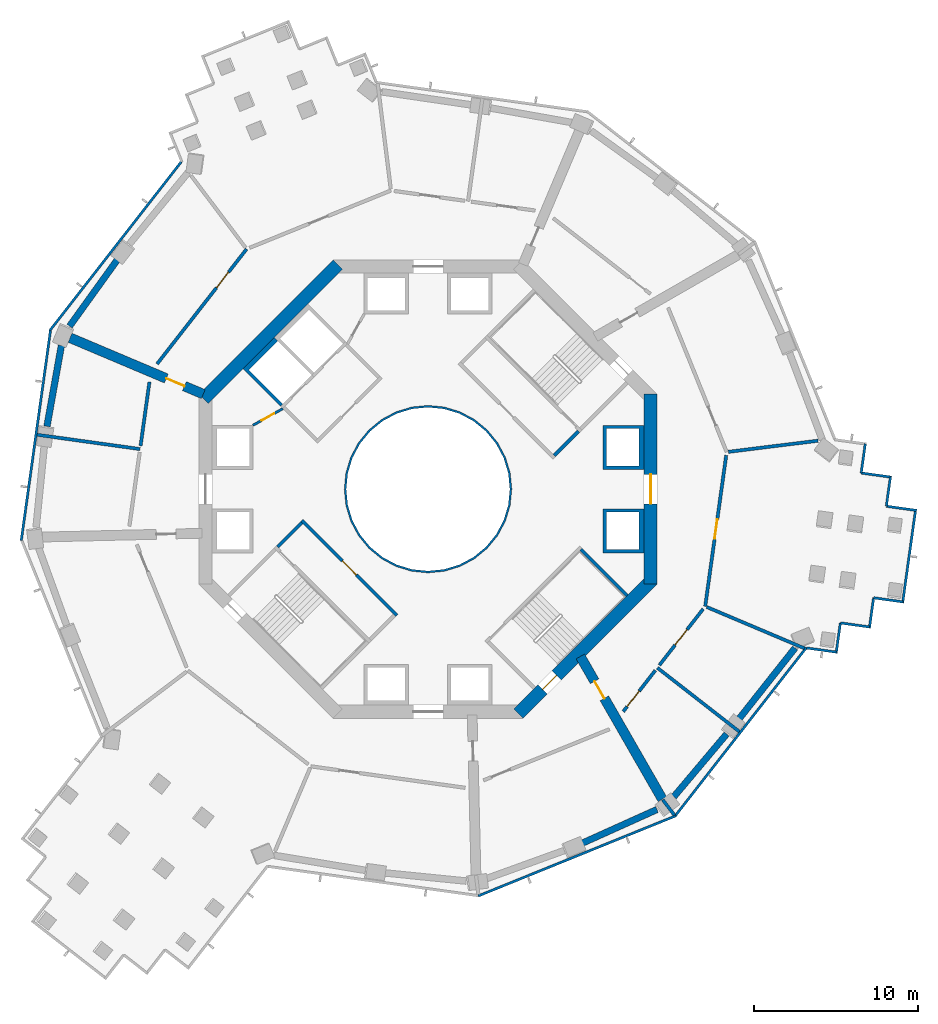
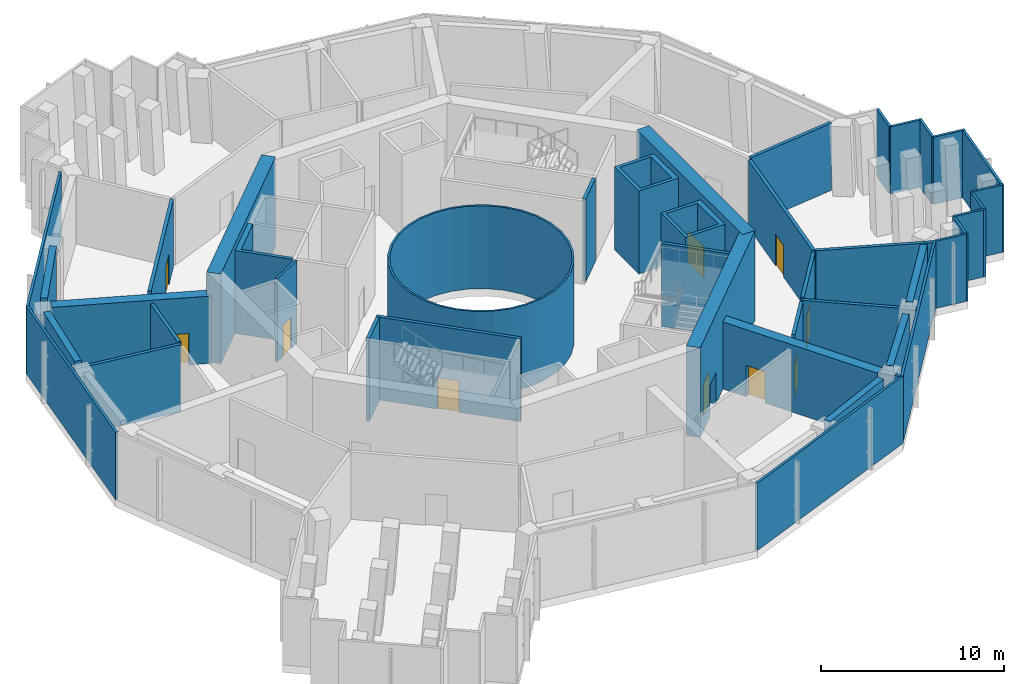
# One storey, part 3 of 17: 43 walls, 10 doors, 10 openings.
"""IFC4 building model written with IfcOpenShell, lengths in metres."""

import ifcopenshell
import ifcopenshell.guid

model = None  # the IFC model being written
_history = None  # IfcOwnerHistory: only IFC2X3 demands one
_inside = {}  # id of a spatial element -> (the spatial element, [elements in it])
_under = {}  # id of a project, library or spatial element -> (it, [spatial elements below it])
_declared = {}  # id of a project -> (the project, [libraries it declares])
_typed = {}  # id of a type object -> (the type object, [elements of that type])
_made_of = {}  # id of a material, layer set ... -> (it, [elements and type objects made of it])


def new_model(schema):
    """Start an empty IFC model of exactly this schema.

    Asked for "IFC4X3", IfcOpenShell would pick the latest addendum, in which some entities
    have other attributes; the version numbers below select the first issue.
    IFC2X3 requires an IfcOwnerHistory on every rooted entity: one is made here for all.
    """
    global model, _history
    if schema == "IFC4X3":
        model = ifcopenshell.file(schema_version=(4, 3, 0, 0))
    else:
        model = ifcopenshell.file(schema=schema)
    _inside.clear()
    _under.clear()
    _declared.clear()
    _typed.clear()
    _made_of.clear()
    _history = None
    if model.schema == "IFC2X3":
        org = make("IfcOrganization", Name="unknown")
        user = make(
            "IfcPersonAndOrganization",
            ThePerson=make("IfcPerson", FamilyName="unknown"),
            TheOrganization=org,
        )
        app = make(
            "IfcApplication",
            ApplicationDeveloper=org,
            Version="unknown",
            ApplicationFullName="unknown",
            ApplicationIdentifier="unknown",
        )
        _history = make(
            "IfcOwnerHistory",
            OwningUser=user,
            OwningApplication=app,
            ChangeAction="ADDED",
            CreationDate=0,
        )
    return model


def make(cls, **values):
    """One entity of the class cls with the attributes given. An attribute that is None is left unset."""
    return model.create_entity(
        cls, **{name: value for name, value in values.items() if value is not None}
    )


def rooted(cls, **values):
    """An entity with a GlobalId (a new one), such as an element, a storey or a relation."""
    return make(cls, GlobalId=ifcopenshell.guid.new(), OwnerHistory=_history, **values)


def si_unit(unit_type, name, prefix=None):
    """IfcSIUnit, for example si_unit("LENGTHUNIT", "METRE", prefix="MILLI")."""
    return make("IfcSIUnit", UnitType=unit_type, Prefix=prefix, Name=name)


def assignment(units):
    """IfcUnitAssignment: the units of a project."""
    return None if units is None else make("IfcUnitAssignment", Units=units)


def point(xyz):
    """IfcCartesianPoint."""
    return None if xyz is None else make("IfcCartesianPoint", Coordinates=xyz)


def direction(xyz):
    """IfcDirection."""
    return None if xyz is None else make("IfcDirection", DirectionRatios=xyz)


def frame(location, z_axis=None, x_axis=None):
    """IfcAxis2Placement3D, a coordinate frame: its origin and axes. An axis left out is left unset."""
    return make(
        "IfcAxis2Placement3D",
        Location=point(location),
        Axis=direction(z_axis),
        RefDirection=direction(x_axis),
    )


def frame_2d(location, x_axis=None):
    """IfcAxis2Placement2D, a coordinate frame in the plane: its origin and x axis."""
    return make(
        "IfcAxis2Placement2D", Location=point(location), RefDirection=direction(x_axis)
    )


def origin():
    """The frame at (0, 0, 0) with its axes left unset."""
    return frame((0.0, 0.0, 0.0))


def place(relative_to, where):
    """IfcLocalPlacement: puts the frame where relative to a parent placement (None: the world)."""
    return make(
        "IfcLocalPlacement", PlacementRelTo=relative_to, RelativePlacement=where
    )


def context(
    kind, dimensions, precision=None, world=None, true_north=None, identifier=None
):
    """IfcGeometricRepresentationContext, for example the 3D "Model" context."""
    return make(
        "IfcGeometricRepresentationContext",
        ContextIdentifier=identifier,
        ContextType=kind,
        CoordinateSpaceDimension=dimensions,
        Precision=precision,
        WorldCoordinateSystem=world,
        TrueNorth=true_north,
    )


def subcontext(parent, identifier, kind, view, scale=None):
    """IfcGeometricRepresentationSubContext, for example "Body" below "Model"."""
    return make(
        "IfcGeometricRepresentationSubContext",
        ContextIdentifier=identifier,
        ContextType=kind,
        ParentContext=parent,
        TargetScale=scale,
        TargetView=view,
    )


def project(units=None, contexts=None):
    """IfcProject with its units and contexts."""
    return rooted(
        "IfcProject",
        Name="project",
        RepresentationContexts=contexts,
        UnitsInContext=assignment(units),
    )


def spatial(cls, under=None, at=None, **own):
    """A site, building, storey or space (cls), placed at a placement, below another one or the project."""
    s = rooted(cls, ObjectPlacement=at, **own)
    if under is not None:
        _under.setdefault(under.id(), (under, []))[1].append(s)
    return s


def polyline(points):
    """IfcPolyline through the points."""
    return make("IfcPolyline", Points=[point(p) for p in points])


def profile(cls, at=None, kind="AREA", **sizes):
    """A parametric profile (cls). Its sizes go by their IFC names, for example OverallWidth=200.0."""
    return make(cls, ProfileType=kind, Position=at, **sizes)


def rectangle(**sizes):
    """IfcRectangleProfileDef."""
    return profile("IfcRectangleProfileDef", **sizes)


def outline(outer, holes=None, kind="AREA"):
    """IfcArbitraryClosedProfileDef: a profile drawn as a closed curve; with holes, ...WithVoids."""
    if holes is None:
        return make("IfcArbitraryClosedProfileDef", ProfileType=kind, OuterCurve=outer)
    return make(
        "IfcArbitraryProfileDefWithVoids",
        ProfileType=kind,
        OuterCurve=outer,
        InnerCurves=holes,
    )


def extrude(swept, where, along, depth):
    """IfcExtrudedAreaSolid: the profile swept, set in the frame where, extruded along a direction by depth."""
    return make(
        "IfcExtrudedAreaSolid",
        SweptArea=swept,
        Position=where,
        ExtrudedDirection=direction(along),
        Depth=depth,
    )


def shape(context_of_items, identifier, shape_type, items):
    """IfcShapeRepresentation: the items that make up one representation, for example the "Body"."""
    return make(
        "IfcShapeRepresentation",
        ContextOfItems=context_of_items,
        RepresentationIdentifier=identifier,
        RepresentationType=shape_type,
        Items=items,
    )


def material(Name=None, Category=None):
    """IfcMaterial."""
    return make("IfcMaterial", Name=Name, Category=Category)


def layer(
    of_material, thickness, ventilated=None, Name=None, Category=None, Priority=None
):
    """IfcMaterialLayer: one layer of a wall or slab, of a material (None: an air gap)."""
    return make(
        "IfcMaterialLayer",
        Material=of_material,
        LayerThickness=thickness,
        IsVentilated=ventilated,
        Name=Name,
        Category=Category,
        Priority=Priority,
    )


def layer_set(layers, Name=None):
    """IfcMaterialLayerSet."""
    return make("IfcMaterialLayerSet", MaterialLayers=layers, LayerSetName=Name)


def made_of(thing, what):
    """Note that an element or type object is made of a material, layer set ...; save() writes the relation."""
    if what is not None:
        _made_of.setdefault(what.id(), (what, []))[1].append(thing)
    return thing


def type_object(cls, material=None, **own):
    """A type object (cls), such as IfcWallType, which elements share."""
    return made_of(rooted(cls, **own), material)


def element(
    cls,
    number,
    at=None,
    inside=None,
    cuts=None,
    type_object=None,
    material=None,
    context=None,
    identifier="Body",
    shape_type=None,
    held_by="IfcProductDefinitionShape",
    body=None,
    shapes=None,
    **own,
):
    """One element of the class cls, such as IfcWall. Its Tag is "e" and its number.

    at: its placement. inside: the storey or other place that contains it. cuts: it is an
    opening in that element (IfcRelVoidsElement). A single representation is given by context,
    identifier, shape_type and body (its items); several are given by shapes. held_by: the class
    of the entity that holds the representations. save() writes the other relations.
    """
    e = rooted(cls, Tag="e%d" % number, ObjectPlacement=at, **own)
    if body is not None:
        shapes = [shape(context, identifier, shape_type, body)]
    if shapes is not None:
        e.Representation = make(held_by, Representations=shapes)
    if inside is not None:
        _inside.setdefault(inside.id(), (inside, []))[1].append(e)
    if cuts is not None:
        rooted(
            "IfcRelVoidsElement", RelatingBuildingElement=cuts, RelatedOpeningElement=e
        )
    if type_object is not None:
        _typed.setdefault(type_object.id(), (type_object, []))[1].append(e)
    return made_of(e, material)


def fill(opening, filler):
    """IfcRelFillsElement: the door or window that sits in an opening."""
    return rooted(
        "IfcRelFillsElement",
        RelatingOpeningElement=opening,
        RelatedBuildingElement=filler,
    )


def aggregate(whole, parts):
    """IfcRelAggregates: a whole, such as a stair, and the parts it consists of."""
    return rooted("IfcRelAggregates", RelatingObject=whole, RelatedObjects=parts)


def save(model, path):
    """Write the relations noted so far, then the file.

    IfcRelAggregates (storeys below a building ...), IfcRelContainedInSpatialStructure (elements
    in a storey), IfcRelDefinesByType, IfcRelAssociatesMaterial and IfcRelDeclares: one each for
    every whole, place, type object, material and project.
    """
    for whole, parts in _under.values():
        aggregate(whole, parts)
    for where, things in _inside.values():
        rooted(
            "IfcRelContainedInSpatialStructure",
            RelatedElements=things,
            RelatingStructure=where,
        )
    for kind, things in _typed.values():
        rooted("IfcRelDefinesByType", RelatedObjects=things, RelatingType=kind)
    for what, things in _made_of.values():
        rooted("IfcRelAssociatesMaterial", RelatedObjects=things, RelatingMaterial=what)
    for by, libraries in _declared.values():
        rooted("IfcRelDeclares", RelatingContext=by, RelatedDefinitions=libraries)
    model.write(path)


model = new_model("IFC4")

# Units and contexts
model_context = context("Model", 3, precision=1e-05, world=origin(), true_north=direction((0.0, 1.0)))
body_context = subcontext(model_context, "Body", "Model", "MODEL_VIEW")
ifc_project = project(units=[si_unit("LENGTHUNIT", "METRE"), si_unit("AREAUNIT", "SQUARE_METRE"), si_unit("VOLUMEUNIT", "CUBIC_METRE"), si_unit("PLANEANGLEUNIT", "RADIAN"), si_unit("MASSUNIT", "GRAM", prefix="KILO")], contexts=[model_context])

# Site, building, storey
site_placement = place(None, origin())
site = spatial("IfcSite", under=ifc_project, at=site_placement, CompositionType="ELEMENT")
building_placement = place(site_placement, origin())
building = spatial("IfcBuilding", under=site, at=building_placement, Name="Verdalira Terraces Hotel", CompositionType="ELEMENT")
storey_placement = place(building_placement, frame((0.0, 0.0, 122.0)))
storey = spatial("IfcBuildingStorey", under=building, at=storey_placement, Name="L29", CompositionType="ELEMENT", Elevation=122.0)

# Walls
ifc_material_1 = material(Name="Fire-resisting glass EI 180", Category="glass")
ifc_layer_1 = layer(ifc_material_1, 0.1201171875)
ifc_layer_set_1 = layer_set([ifc_layer_1], Name="Atrium fire screen 120 mm")
wall_type_1 = type_object("IfcWallType", Name="Atrium fire screen 120 mm", PredefinedType="SOLIDWALL", material=ifc_layer_set_1)
wall_1_placement = place(storey_placement, origin())
element("IfcWall", 1, at=wall_1_placement, inside=storey, type_object=wall_type_1, Name="Atrium fire screen", PredefinedType="SOLIDWALL", context=body_context, shape_type="SweptSolid", body=[
    extrude(outline(polyline([(5.021484, -0.998779), (4.730225, -1.959229), (4.25708, -2.844482), (3.620361, -3.620361), (2.844482, -4.25708), (1.959229, -4.730225), (0.998779, -5.021484), (0.0, -5.120117), (-0.998779, -5.021484), (-1.959229, -4.730225), (-2.844482, -4.25708), (-3.620361, -3.620361), (-4.25708, -2.844482), (-4.730225, -1.959229), (-5.021484, -0.998779), (-5.120117, 0.0), (-5.021484, 0.998779), (-4.730225, 1.959229), (-4.25708, 2.844482), (-3.620361, 3.620361), (-2.844482, 4.25708), (-1.959229, 4.730225), (-0.998779, 5.021484), (0.0, 5.120117), (0.998779, 5.021484), (1.959229, 4.730225), (2.844482, 4.25708), (3.620361, 3.620361), (4.25708, 2.844482), (4.730225, 1.959229), (5.021484, 0.998779), (5.120117, 0.0), (5.021484, -0.998779)]), holes=[polyline([(4.903809, 0.975586), (4.619385, 1.91333), (4.157227, 2.777832), (3.5354, 3.5354), (2.777832, 4.157227), (1.91333, 4.619385), (0.975586, 4.903809), (0.0, 5.0), (-0.975586, 4.903809), (-1.91333, 4.619385), (-2.777832, 4.157227), (-3.5354, 3.5354), (-4.157227, 2.777832), (-4.619385, 1.91333), (-4.903809, 0.975586), (-5.0, 0.0), (-4.903809, -0.975586), (-4.619385, -1.91333), (-4.157227, -2.777832), (-3.5354, -3.5354), (-2.777832, -4.157227), (-1.91333, -4.619385), (-0.975586, -4.903809), (0.0, -5.0), (0.975586, -4.903809), (1.91333, -4.619385), (2.777832, -4.157227), (3.5354, -3.5354), (4.157227, -2.777832), (4.619385, -1.91333), (4.903809, -0.975586), (5.0, 0.0), (4.903809, 0.975586)])]), origin(), (0.0, 0.0, 1.0), 5.550049),
])
ifc_material_2 = material(Name="Concrete C70", Category="concrete")
ifc_layer_2 = layer(ifc_material_2, 0.39990234375)
ifc_layer_set_2 = layer_set([ifc_layer_2], Name="Belt wall 400 C70")
wall_type_2 = type_object("IfcWallType", Name="Belt wall 400 C70", PredefinedType="SHEAR", material=ifc_layer_set_2)
for number, where, z_axis, x_axis, name in (
    (2, (-18.969482, 14.02832, 0.0), (0.0, 0.0, 1.0), (-0.583892879, -0.811830713, 0.0), "Belt wall BW-29-2"),
    (3, (-22.398682, 8.771484, 0.0), (0.0, 0.0, 1.0), (-0.175640641, -0.984454349, 0.0), "Belt wall BW-29-3"),
):
    element("IfcWall", number, at=place(storey_placement, frame(where, z_axis=z_axis, x_axis=x_axis)), inside=storey, type_object=wall_type_2, Name=name, PredefinedType="SHEAR", context=body_context, shape_type="SweptSolid", body=[
        extrude(rectangle(XDim=5.013672, YDim=0.399902, at=frame_2d((2.506836, 0.0))), origin(), (0.0, 0.0, 1.0), 4.5),
    ])
wall_2_placement = place(storey_placement, frame((9.413818, -21.633545, 0.0), z_axis=(0.0, 0.0, 1.0), x_axis=(0.911583179, 0.411115687, 0.0)))
element("IfcWall", 4, at=wall_2_placement, inside=storey, type_object=wall_type_2, Name="Belt wall BW-29-10", PredefinedType="SHEAR", context=body_context, shape_type="SweptSolid", body=[
    extrude(rectangle(XDim=5.013916, YDim=0.399902, at=frame_2d((2.506836, 0.0))), origin(), (0.0, 0.0, 1.0), 4.5),
])
wall_3_placement = place(storey_placement, frame((15.011963, -18.795654, 0.0), z_axis=(0.0, 0.0, 1.0), x_axis=(0.644332147, 0.764745764, 0.0)))
element("IfcWall", 5, at=wall_3_placement, inside=storey, type_object=wall_type_2, Name="Belt wall BW-29-11", PredefinedType="SHEAR", context=body_context, shape_type="SweptSolid", body=[
    extrude(rectangle(XDim=5.01416, YDim=0.399902, at=frame_2d((2.50708, 0.0))), origin(), (0.0, 0.0, 1.0), 4.5),
])
wall_4_placement = place(storey_placement, frame((18.982666, -14.055176, 0.0), z_axis=(0.0, 0.0, 1.0), x_axis=(0.620299204, 0.784365284, 0.0)))
element("IfcWall", 6, at=wall_4_placement, inside=storey, type_object=wall_type_2, Name="Belt wall BW-29-12", PredefinedType="SHEAR", context=body_context, shape_type="SweptSolid", body=[
    extrude(rectangle(XDim=5.545898, YDim=0.399902, at=frame_2d((2.772949, 0.0))), origin(), (0.0, 0.0, 1.0), 4.5),
])
ifc_material_3 = material(Name="Concrete C50", Category="concrete")
ifc_layer_3 = layer(ifc_material_3, 0.199951171875)
ifc_layer_set_3 = layer_set([ifc_layer_3], Name="Core RC wall 200 C50")
wall_type_3 = type_object("IfcWallType", Name="Core RC wall 200 C50", PredefinedType="SOLIDWALL", material=ifc_layer_set_3)
wall_5_placement = place(storey_placement, origin())
element("IfcWall", 7, at=wall_5_placement, inside=storey, type_object=wall_type_3, Name="L29 shaft wall E1", PredefinedType="SOLIDWALL", context=body_context, shape_type="SweptSolid", body=[
    extrude(outline(polyline([(13.199951, -1.199951), (13.199951, -3.899902), (10.699951, -3.899902), (10.699951, -1.199951), (13.199951, -1.199951)]), holes=[polyline([(10.899902, -3.699951), (12.899902, -3.699951), (12.899902, -1.399902), (10.899902, -1.399902), (10.899902, -3.699951)])]), origin(), (0.0, 0.0, 1.0), 5.550049),
])
wall_6_placement = place(storey_placement, origin())
element("IfcWall", 8, at=wall_6_placement, inside=storey, type_object=wall_type_3, Name="L29 shaft wall E2", PredefinedType="SOLIDWALL", context=body_context, shape_type="SweptSolid", body=[
    extrude(outline(polyline([(10.699951, 3.899902), (13.199951, 3.899902), (13.199951, 1.199951), (10.699951, 1.199951), (10.699951, 3.899902)]), holes=[polyline([(12.899902, 1.399902), (12.899902, 3.699951), (10.899902, 3.699951), (10.899902, 1.399902), (12.899902, 1.399902)])]), origin(), (0.0, 0.0, 1.0), 5.550049),
])
wall_7_placement = place(storey_placement, origin())
element("IfcWall", 9, at=wall_7_placement, inside=storey, type_object=wall_type_3, Name="L29 shaft wall F2", PredefinedType="SOLIDWALL", context=body_context, shape_type="SweptSolid", body=[
    extrude(outline(polyline([(-11.313721, 7.354004), (-9.404541, 9.263184), (-9.192383, 9.051025), (-10.960205, 7.283203), (-8.874268, 5.197266), (-9.015625, 5.055908), (-11.313721, 7.354004)])), origin(), (0.0, 0.0, 1.0), 5.550049),
])
wall_8_placement = place(storey_placement, frame((9.33374, -3.677002, 0.0), z_axis=(0.0, 0.0, 1.0), x_axis=(0.707106781, -0.707106781, 0.0)))
element("IfcWall", 10, at=wall_8_placement, inside=storey, type_object=wall_type_3, Name="L29 stair ST3 end wall 2", PredefinedType="SOLIDWALL", context=body_context, shape_type="SweptSolid", body=[
    extrude(rectangle(XDim=4.0, YDim=0.199951, at=frame_2d((2.0, 0.0))), origin(), (0.0, 0.0, 1.0), 5.550049),
])
wall_9_placement = place(storey_placement, frame((7.70752, 2.050537, 0.0), z_axis=(0.0, 0.0, 1.0), x_axis=(0.707106781, 0.707106781, 0.0)))
element("IfcWall", 11, at=wall_9_placement, inside=storey, type_object=wall_type_3, Name="Stair lobby wall ST1 L29", PredefinedType="SOLIDWALL", context=body_context, shape_type="SweptSolid", body=[
    extrude(rectangle(XDim=2.099854, YDim=0.199951, at=frame_2d((1.049805, 0.0))), origin(), (0.0, 0.0, 1.0), 5.550049),
])

# Wall, opening, door
wall_10_placement = place(storey_placement, frame((-7.70752, -1.90918, 0.0), z_axis=(0.0, 0.0, 1.0), x_axis=(0.707106781, -0.707106781, 0.0)))
wall_10 = element("IfcWall", 12, at=wall_10_placement, inside=storey, type_object=wall_type_3, Name="Stair lobby wall ST2 L29", PredefinedType="SOLIDWALL", context=body_context, shape_type="SweptSolid", body=[
    extrude(rectangle(XDim=8.200195, YDim=0.199951, at=frame_2d((4.100098, 0.0))), origin(), (0.0, 0.0, 1.0), 5.550049),
])
opening_1_placement = place(wall_10_placement, frame((3.5, 0.0, 0.0)))
opening_1 = element("IfcOpeningElement", 13, at=opening_1_placement, cuts=wall_10, Name="Opening L29-817", PredefinedType="OPENING", context=body_context, shape_type="SweptSolid", body=[
    extrude(rectangle(XDim=1.199951, YDim=2.100098, at=frame_2d((0.600098, 1.050049))), frame((0.0, 0.109863, 0.0), z_axis=(0.0, -1.0, 0.0), x_axis=(1.0, 0.0, 0.0)), (0.0, 0.0, 1.0), 0.219971),
])
ifc_material_4 = material(Name="Steel fire door", Category="steel")
door_type_1 = type_object("IfcDoorType", Name="Lobby door 1200 x 2100", OperationType="NOTDEFINED", PredefinedType="DOOR", material=ifc_material_4)
door_1_placement = place(opening_1_placement, origin())
door_1 = element("IfcDoor", 14, at=door_1_placement, inside=storey, type_object=door_type_1, Name="Door L29 lobbyST2", OperationType="SINGLE_SWING_LEFT", OverallHeight=2.10009765625, OverallWidth=1.199951171875, PredefinedType="DOOR", context=body_context, shape_type="SweptSolid", body=[
    extrude(rectangle(XDim=1.199951, YDim=2.100098, at=frame_2d((0.600098, 1.050049))), frame((0.0, 0.024902, 0.0), z_axis=(0.0, -1.0, 0.0), x_axis=(1.0, 0.0, 0.0)), (0.0, 0.0, 1.0), 0.050049),
])
fill(opening_1, door_1)

# Wall
wall_11_placement = place(storey_placement, frame((-7.70752, -2.050537, 0.0), z_axis=(0.0, 0.0, 1.0), x_axis=(-0.707106781, -0.707106781, 0.0)))
element("IfcWall", 15, at=wall_11_placement, inside=storey, type_object=wall_type_3, Name="Stair lobby wall ST2 L29", PredefinedType="SOLIDWALL", context=body_context, shape_type="SweptSolid", body=[
    extrude(rectangle(XDim=2.099854, YDim=0.199951, at=frame_2d((1.049805, 0.0))), origin(), (0.0, 0.0, 1.0), 5.550049),
])

# Wall, opening, door
ifc_material_5 = material(Name="Gypsum board partition")
ifc_layer_4 = layer(ifc_material_5, 0.14990234375)
ifc_layer_set_4 = layer_set([ifc_layer_4], Name="Core partition 150 mm")
wall_type_4 = type_object("IfcWallType", Name="Core partition 150 mm", PredefinedType="PARTITIONING", material=ifc_layer_set_4)
wall_12_placement = place(storey_placement, frame((-8.874268, 4.914307, 0.0), z_axis=(0.0, 0.0, 1.0), x_axis=(-0.874129705, -0.485692555, 0.0)))
wall_12 = element("IfcWall", 16, at=wall_12_placement, inside=storey, type_object=wall_type_4, Name="Room partition L29", PredefinedType="PARTITIONING", context=body_context, shape_type="SweptSolid", body=[
    extrude(rectangle(XDim=2.088623, YDim=0.149902, at=frame_2d((1.044434, 0.0))), origin(), (0.0, 0.0, 1.0), 5.550049),
])
opening_2_placement = place(wall_12_placement, frame((0.594238, 0.0, 0.0)))
opening_2 = element("IfcOpeningElement", 17, at=opening_2_placement, cuts=wall_12, Name="Opening L29-815", PredefinedType="OPENING", context=body_context, shape_type="SweptSolid", body=[
    extrude(rectangle(XDim=0.899902, YDim=2.100098, at=frame_2d((0.449951, 1.050049))), frame((0.0, 0.084961, 0.0), z_axis=(0.0, -1.0, 0.0), x_axis=(1.0, 0.0, 0.0)), (0.0, 0.0, 1.0), 0.169922),
])
ifc_material_6 = material(Name="Steel fire door", Category="steel")
door_type_2 = type_object("IfcDoorType", Name="Core room door 900 x 2100", OperationType="NOTDEFINED", PredefinedType="DOOR", material=ifc_material_6)
door_2_placement = place(opening_2_placement, origin())
door_2 = element("IfcDoor", 18, at=door_2_placement, inside=storey, type_object=door_type_2, Name="Door L29 room3", OperationType="SINGLE_SWING_LEFT", OverallHeight=2.10009765625, OverallWidth=0.89990234375, PredefinedType="DOOR", context=body_context, shape_type="SweptSolid", body=[
    extrude(rectangle(XDim=0.899902, YDim=2.100098, at=frame_2d((0.449951, 1.050049))), frame((0.0, 0.024902, 0.0), z_axis=(0.0, -1.0, 0.0), x_axis=(1.0, 0.0, 0.0)), (0.0, 0.0, 1.0), 0.050049),
])
fill(opening_2, door_2)

ifc_material_7 = material(Name="Concrete C70", Category="concrete")
ifc_layer_5 = layer(ifc_material_7, 0.800048828125)
ifc_layer_set_5 = layer_set([ifc_layer_5], Name="Core wall 800 C70")
wall_type_5 = type_object("IfcWallType", Name="Core wall 800 C70", PredefinedType="SHEAR", material=ifc_layer_set_5)
wall_13_placement = place(storey_placement, frame((13.600098, -5.799072, 0.0), z_axis=(0.0, 0.0, 1.0), x_axis=(0.0, 1.0, 0.0)))
wall_13 = element("IfcWall", 19, at=wall_13_placement, inside=storey, type_object=wall_type_5, Name="Core wall CW-L29-1", PredefinedType="SHEAR", context=body_context, shape_type="SweptSolid", body=[
    extrude(rectangle(XDim=11.598145, YDim=0.800049, at=frame_2d((5.799072, 0.0))), origin(), (0.0, 0.0, 1.0), 6.0),
])
opening_3_placement = place(wall_13_placement, frame((4.898926, 0.0, 0.0)))
opening_3 = element("IfcOpeningElement", 20, at=opening_3_placement, cuts=wall_13, Name="Opening L29-806", PredefinedType="OPENING", context=body_context, shape_type="SweptSolid", body=[
    extrude(rectangle(XDim=1.800049, YDim=2.100098, at=frame_2d((0.899902, 1.050049))), frame((0.0, 0.409912, 0.0), z_axis=(0.0, -1.0, 0.0), x_axis=(1.0, 0.0, 0.0)), (0.0, 0.0, 1.0), 0.820068),
])
ifc_material_8 = material(Name="Steel fire door", Category="steel")
door_type_3 = type_object("IfcDoorType", Name="Core entry door pair 1800 x 2100", OperationType="NOTDEFINED", PredefinedType="DOOR", material=ifc_material_8)
door_3_placement = place(opening_3_placement, origin())
door_3 = element("IfcDoor", 21, at=door_3_placement, inside=storey, type_object=door_type_3, Name="Core entry door L29 0", OperationType="DOUBLE_DOOR_SINGLE_SWING", OverallHeight=2.10009765625, OverallWidth=1.800048828125, PredefinedType="DOOR", context=body_context, shape_type="SweptSolid", body=[
    extrude(rectangle(XDim=1.800049, YDim=2.100098, at=frame_2d((0.899902, 1.050049))), frame((0.0, 0.024902, 0.0), z_axis=(0.0, -1.0, 0.0), x_axis=(1.0, 0.0, 0.0)), (0.0, 0.0, 1.0), 0.050049),
])
fill(opening_3, door_3)

# Wall
wall_14_placement = place(storey_placement, frame((-5.516113, 13.717285, 0.0), z_axis=(0.0, 0.0, 1.0), x_axis=(-0.707106781, -0.707106781, 0.0)))
element("IfcWall", 22, at=wall_14_placement, inside=storey, type_object=wall_type_5, Name="Core wall CW-L29-4", PredefinedType="SHEAR", context=body_context, shape_type="SweptSolid", body=[
    extrude(rectangle(XDim=11.598145, YDim=0.800049, at=frame_2d((5.799072, 0.0))), origin(), (0.0, 0.0, 1.0), 6.0),
])

# Wall, opening, door
wall_15_placement = place(storey_placement, frame((5.516113, -13.717285, 0.0), z_axis=(0.0, 0.0, 1.0), x_axis=(0.707106781, 0.707106781, 0.0)))
wall_15 = element("IfcWall", 23, at=wall_15_placement, inside=storey, type_object=wall_type_5, Name="Core wall CW-L29-8", PredefinedType="SHEAR", context=body_context, shape_type="SweptSolid", body=[
    extrude(rectangle(XDim=11.598145, YDim=0.800049, at=frame_2d((5.799072, 0.0))), origin(), (0.0, 0.0, 1.0), 6.0),
])
opening_4_placement = place(wall_15_placement, frame((2.099121, 0.0, 0.0)))
opening_4 = element("IfcOpeningElement", 24, at=opening_4_placement, cuts=wall_15, Name="Opening L29-812", PredefinedType="OPENING", context=body_context, shape_type="SweptSolid", body=[
    extrude(rectangle(XDim=1.199951, YDim=2.100098, at=frame_2d((0.600098, 1.050049))), frame((0.0, 0.409912, 0.0), z_axis=(0.0, -1.0, 0.0), x_axis=(1.0, 0.0, 0.0)), (0.0, 0.0, 1.0), 0.820068),
])
ifc_material_9 = material(Name="Steel fire door", Category="steel")
door_type_4 = type_object("IfcDoorType", Name="Stair door 1200 x 2100", OperationType="NOTDEFINED", PredefinedType="DOOR", material=ifc_material_9)
door_4_placement = place(opening_4_placement, origin())
door_4 = element("IfcDoor", 25, at=door_4_placement, inside=storey, type_object=door_type_4, Name="Stair exit door ST3 L29", OperationType="SINGLE_SWING_LEFT", OverallHeight=2.10009765625, OverallWidth=1.199951171875, PredefinedType="DOOR", context=body_context, shape_type="SweptSolid", body=[
    extrude(rectangle(XDim=1.199951, YDim=2.100098, at=frame_2d((0.600098, 1.050049))), frame((0.0, 0.024902, 0.0), z_axis=(0.0, -1.0, 0.0), x_axis=(1.0, 0.0, 0.0)), (0.0, 0.0, 1.0), 0.050049),
])
fill(opening_4, door_4)

ifc_material_10 = material(Name="Concrete C70", Category="concrete")
ifc_layer_6 = layer(ifc_material_10, 0.60009765625)
ifc_layer_set_6 = layer_set([ifc_layer_6], Name="Outrigger wall 600 C70")
wall_type_6 = type_object("IfcWallType", Name="Outrigger wall 600 C70", PredefinedType="SHEAR", material=ifc_layer_set_6)
wall_16_placement = place(storey_placement, frame((-13.730957, 5.805908, 0.0), z_axis=(0.0, 0.0, 1.0), x_axis=(-0.921048088, 0.389448866, 0.0)))
wall_16 = element("IfcWall", 26, at=wall_16_placement, inside=storey, type_object=wall_type_6, Name="Outrigger wall OW-29-1", PredefinedType="SHEAR", context=body_context, shape_type="SweptSolid", body=[
    extrude(rectangle(XDim=8.834717, YDim=0.600098, at=frame_2d((4.41748, 0.0))), origin(), (0.0, 0.0, 1.0), 4.5),
])
opening_5_placement = place(wall_16_placement, frame((1.25, 0.0, 0.0)))
opening_5 = element("IfcOpeningElement", 27, at=opening_5_placement, cuts=wall_16, Name="Opening L29-101", PredefinedType="OPENING", context=body_context, shape_type="SweptSolid", body=[
    extrude(rectangle(XDim=1.199951, YDim=2.100098, at=frame_2d((0.600098, 1.050049))), frame((0.0, 0.310059, 0.0), z_axis=(0.0, -1.0, 0.0), x_axis=(1.0, 0.0, 0.0)), (0.0, 0.0, 1.0), 0.620117),
])
ifc_material_11 = material(Name="Steel fire door", Category="steel")
door_type_5 = type_object("IfcDoorType", Name="Plant room door 1200 x 2100", OperationType="NOTDEFINED", PredefinedType="DOOR", material=ifc_material_11)
door_5_placement = place(opening_5_placement, origin())
door_5 = element("IfcDoor", 28, at=door_5_placement, inside=storey, type_object=door_type_5, Name="Plant room door", OperationType="SINGLE_SWING_LEFT", OverallHeight=2.10009765625, OverallWidth=1.199951171875, PredefinedType="DOOR", context=body_context, shape_type="SweptSolid", body=[
    extrude(rectangle(XDim=1.199951, YDim=2.100098, at=frame_2d((0.600098, 1.050049))), frame((0.0, 0.024902, 0.0), z_axis=(0.0, -1.0, 0.0), x_axis=(1.0, 0.0, 0.0)), (0.0, 0.0, 1.0), 0.050049),
])
fill(opening_5, door_5)

wall_17_placement = place(storey_placement, frame((9.304932, -10.221191, 0.0), z_axis=(0.0, 0.0, 1.0), x_axis=(0.498160963, -0.867084572, 0.0)))
wall_17 = element("IfcWall", 29, at=wall_17_placement, inside=storey, type_object=wall_type_6, Name="Outrigger wall OW-29-4", PredefinedType="SHEAR", context=body_context, shape_type="SweptSolid", body=[
    extrude(rectangle(XDim=10.057617, YDim=0.600098, at=frame_2d((5.028809, 0.0))), origin(), (0.0, 0.0, 1.0), 4.5),
])
opening_6_placement = place(wall_17_placement, frame((1.75, 0.0, 0.0)))
opening_6 = element("IfcOpeningElement", 30, at=opening_6_placement, cuts=wall_17, Name="Opening L29-104", PredefinedType="OPENING", context=body_context, shape_type="SweptSolid", body=[
    extrude(rectangle(XDim=1.199951, YDim=2.100098, at=frame_2d((0.600098, 1.050049))), frame((0.0, 0.310059, 0.0), z_axis=(0.0, -1.0, 0.0), x_axis=(1.0, 0.0, 0.0)), (0.0, 0.0, 1.0), 0.620117),
])
door_6_placement = place(opening_6_placement, origin())
door_6 = element("IfcDoor", 31, at=door_6_placement, inside=storey, type_object=door_type_5, Name="Plant room door", OperationType="SINGLE_SWING_LEFT", OverallHeight=2.10009765625, OverallWidth=1.199951171875, PredefinedType="DOOR", context=body_context, shape_type="SweptSolid", body=[
    extrude(rectangle(XDim=1.199951, YDim=2.100098, at=frame_2d((0.600098, 1.050049))), frame((0.0, 0.024902, 0.0), z_axis=(0.0, -1.0, 0.0), x_axis=(1.0, 0.0, 0.0)), (0.0, 0.0, 1.0), 0.050049),
])
fill(opening_6, door_6)

# Walls
ifc_material_12 = material(Name="Fire-rated concrete block wall", Category="concrete")
ifc_layer_7 = layer(ifc_material_12, 0.199951171875)
ifc_layer_set_7 = layer_set([ifc_layer_7], Name="Plant room wall 200 mm")
wall_type_7 = type_object("IfcWallType", Name="Plant room wall 200 mm", PredefinedType="SOLIDWALL", material=ifc_layer_set_7)
wall_18_placement = place(storey_placement, frame((-17.589111, 2.447021, 0.0), z_axis=(0.0, 0.0, 1.0), x_axis=(-0.990460376, 0.137797833, 0.0)))
element("IfcWall", 32, at=wall_18_placement, inside=storey, type_object=wall_type_7, Name="Plant room wall", PredefinedType="SOLIDWALL", context=body_context, shape_type="SweptSolid", body=[
    extrude(rectangle(XDim=6.349854, YDim=0.199951, at=frame_2d((3.174805, 0.0))), origin(), (0.0, 0.0, 1.0), 4.5),
])
wall_19_placement = place(storey_placement, frame((-17.019043, 6.544189, 0.0), z_axis=(0.0, 0.0, 1.0), x_axis=(-0.137739068, -0.99046855, 0.0)))
element("IfcWall", 33, at=wall_19_placement, inside=storey, type_object=wall_type_7, Name="Plant room wall", PredefinedType="SOLIDWALL", context=body_context, shape_type="SweptSolid", body=[
    extrude(rectangle(XDim=3.936768, YDim=0.199951, at=frame_2d((1.968262, 0.0))), origin(), (0.0, 0.0, 1.0), 4.5),
])

# Wall, opening, door
wall_20_placement = place(storey_placement, frame((-16.55127, 7.650391, 0.0), z_axis=(0.0, 0.0, 1.0), x_axis=(0.614571282, 0.788861293, 0.0)))
wall_20 = element("IfcWall", 34, at=wall_20_placement, inside=storey, type_object=wall_type_7, Name="Plant room wall", PredefinedType="SOLIDWALL", context=body_context, shape_type="SweptSolid", body=[
    extrude(rectangle(XDim=8.89502, YDim=0.199951, at=frame_2d((4.44751, 0.0))), origin(), (0.0, 0.0, 1.0), 4.5),
])
opening_7_placement = place(wall_20_placement, frame((5.899902, 0.0, 0.0)))
opening_7 = element("IfcOpeningElement", 35, at=opening_7_placement, cuts=wall_20, Name="Opening L29-108", PredefinedType="OPENING", context=body_context, shape_type="SweptSolid", body=[
    extrude(rectangle(XDim=1.199951, YDim=2.100098, at=frame_2d((0.600098, 1.050049))), frame((0.0, 0.109863, 0.0), z_axis=(0.0, -1.0, 0.0), x_axis=(1.0, 0.0, 0.0)), (0.0, 0.0, 1.0), 0.219971),
])
door_7_placement = place(opening_7_placement, origin())
door_7 = element("IfcDoor", 36, at=door_7_placement, inside=storey, type_object=door_type_5, Name="Plant room door 2902", OperationType="SINGLE_SWING_LEFT", OverallHeight=2.10009765625, OverallWidth=1.199951171875, PredefinedType="DOOR", context=body_context, shape_type="SweptSolid", body=[
    extrude(rectangle(XDim=1.199951, YDim=2.100098, at=frame_2d((0.600098, 1.050049))), frame((0.0, 0.024902, 0.0), z_axis=(0.0, -1.0, 0.0), x_axis=(1.0, 0.0, 0.0)), (0.0, 0.0, 1.0), 0.050049),
])
fill(opening_7, door_7)

wall_21_placement = place(storey_placement, frame((13.885986, -11.071289, 0.0), z_axis=(0.0, 0.0, 1.0), x_axis=(-0.614571572, -0.788861067, 0.0)))
wall_21 = element("IfcWall", 37, at=wall_21_placement, inside=storey, type_object=wall_type_7, Name="Plant room wall", PredefinedType="SOLIDWALL", context=body_context, shape_type="SweptSolid", body=[
    extrude(rectangle(XDim=3.186768, YDim=0.199951, at=frame_2d((1.593262, 0.0))), origin(), (0.0, 0.0, 1.0), 4.5),
])
opening_8_placement = place(wall_21_placement, frame((1.600098, 0.0, 0.0)))
opening_8 = element("IfcOpeningElement", 38, at=opening_8_placement, cuts=wall_21, Name="Opening L29-113", PredefinedType="OPENING", context=body_context, shape_type="SweptSolid", body=[
    extrude(rectangle(XDim=1.199951, YDim=2.100098, at=frame_2d((0.600098, 1.050049))), frame((0.0, 0.109863, 0.0), z_axis=(0.0, -1.0, 0.0), x_axis=(1.0, 0.0, 0.0)), (0.0, 0.0, 1.0), 0.219971),
])
door_8_placement = place(opening_8_placement, origin())
door_8 = element("IfcDoor", 39, at=door_8_placement, inside=storey, type_object=door_type_5, Name="Plant room door 2907", OperationType="SINGLE_SWING_LEFT", OverallHeight=2.10009765625, OverallWidth=1.199951171875, PredefinedType="DOOR", context=body_context, shape_type="SweptSolid", body=[
    extrude(rectangle(XDim=1.199951, YDim=2.100098, at=frame_2d((0.600098, 1.050049))), frame((0.0, 0.024902, 0.0), z_axis=(0.0, -1.0, 0.0), x_axis=(1.0, 0.0, 0.0)), (0.0, 0.0, 1.0), 0.050049),
])
fill(opening_8, door_8)

# Wall
wall_22_placement = place(storey_placement, frame((14.342773, -18.978271, 0.0), z_axis=(0.0, 0.0, 1.0), x_axis=(0.602853653, -0.797851786, 0.0)))
element("IfcWall", 40, at=wall_22_placement, inside=storey, type_object=wall_type_7, Name="Plant room wall", PredefinedType="SOLIDWALL", context=body_context, shape_type="SweptSolid", body=[
    extrude(rectangle(XDim=1.175537, YDim=0.199951, at=frame_2d((0.587891, 0.0))), origin(), (0.0, 0.0, 1.0), 4.5),
])

# Wall, opening, door
wall_23_placement = place(storey_placement, frame((16.810303, -7.317627, 0.0), z_axis=(0.0, 0.0, 1.0), x_axis=(-0.614553159, -0.788875411, 0.0)))
wall_23 = element("IfcWall", 41, at=wall_23_placement, inside=storey, type_object=wall_type_7, Name="Plant room wall", PredefinedType="SOLIDWALL", context=body_context, shape_type="SweptSolid", body=[
    extrude(rectangle(XDim=4.358398, YDim=0.199951, at=frame_2d((2.179199, 0.0))), origin(), (0.0, 0.0, 1.0), 4.5),
])
opening_9_placement = place(wall_23_placement, frame((1.600098, 0.0, 0.0)))
opening_9 = element("IfcOpeningElement", 42, at=opening_9_placement, cuts=wall_23, Name="Opening L29-114", PredefinedType="OPENING", context=body_context, shape_type="SweptSolid", body=[
    extrude(rectangle(XDim=1.199951, YDim=2.100098, at=frame_2d((0.600098, 1.050049))), frame((0.0, 0.109863, 0.0), z_axis=(0.0, -1.0, 0.0), x_axis=(1.0, 0.0, 0.0)), (0.0, 0.0, 1.0), 0.219971),
])
door_9_placement = place(opening_9_placement, origin())
door_9 = element("IfcDoor", 43, at=door_9_placement, inside=storey, type_object=door_type_5, Name="Plant room door 2908", OperationType="SINGLE_SWING_LEFT", OverallHeight=2.10009765625, OverallWidth=1.199951171875, PredefinedType="DOOR", context=body_context, shape_type="SweptSolid", body=[
    extrude(rectangle(XDim=1.199951, YDim=2.100098, at=frame_2d((0.600098, 1.050049))), frame((0.0, 0.024902, 0.0), z_axis=(0.0, -1.0, 0.0), x_axis=(1.0, 0.0, 0.0)), (0.0, 0.0, 1.0), 0.050049),
])
fill(opening_9, door_9)

# Wall
wall_24_placement = place(storey_placement, frame((14.009033, -10.913574, 0.0), z_axis=(0.0, 0.0, 1.0), x_axis=(0.788875816, -0.614552639, 0.0)))
element("IfcWall", 44, at=wall_24_placement, inside=storey, type_object=wall_type_7, Name="Plant room wall", PredefinedType="SOLIDWALL", context=body_context, shape_type="SweptSolid", body=[
    extrude(rectangle(XDim=6.349854, YDim=0.199951, at=frame_2d((3.174805, 0.0))), origin(), (0.0, 0.0, 1.0), 4.5),
])

# Wall, opening, door
wall_25_placement = place(storey_placement, frame((18.217041, 2.067871, 0.0), z_axis=(0.0, 0.0, 1.0), x_axis=(-0.137784751, -0.990462196, 0.0)))
wall_25 = element("IfcWall", 45, at=wall_25_placement, inside=storey, type_object=wall_type_7, Name="Plant room wall", PredefinedType="SOLIDWALL", context=body_context, shape_type="SweptSolid", body=[
    extrude(rectangle(XDim=9.31665, YDim=0.199951, at=frame_2d((4.658203, 0.0))), origin(), (0.0, 0.0, 1.0), 4.5),
])
opening_10_placement = place(wall_25_placement, frame((3.949951, 0.0, 0.0)))
opening_10 = element("IfcOpeningElement", 46, at=opening_10_placement, cuts=wall_25, Name="Opening L29-115", PredefinedType="OPENING", context=body_context, shape_type="SweptSolid", body=[
    extrude(rectangle(XDim=1.199951, YDim=2.100098, at=frame_2d((0.600098, 1.050049))), frame((0.0, 0.109863, 0.0), z_axis=(0.0, -1.0, 0.0), x_axis=(1.0, 0.0, 0.0)), (0.0, 0.0, 1.0), 0.219971),
])
door_10_placement = place(opening_10_placement, origin())
door_10 = element("IfcDoor", 47, at=door_10_placement, inside=storey, type_object=door_type_5, Name="Plant room door 2909", OperationType="SINGLE_SWING_LEFT", OverallHeight=2.10009765625, OverallWidth=1.199951171875, PredefinedType="DOOR", context=body_context, shape_type="SweptSolid", body=[
    extrude(rectangle(XDim=1.199951, YDim=2.100098, at=frame_2d((0.600098, 1.050049))), frame((0.0, 0.024902, 0.0), z_axis=(0.0, -1.0, 0.0), x_axis=(1.0, 0.0, 0.0)), (0.0, 0.0, 1.0), 0.050049),
])
fill(opening_10, door_10)

# Walls
wall_26_placement = place(storey_placement, frame((17.028809, -7.200195, 0.0), z_axis=(0.0, 0.0, 1.0), x_axis=(0.921045284, -0.389455497, 0.0)))
element("IfcWall", 48, at=wall_26_placement, inside=storey, type_object=wall_type_7, Name="Plant room wall", PredefinedType="SOLIDWALL", context=body_context, shape_type="SweptSolid", body=[
    extrude(rectangle(XDim=6.475586, YDim=0.199951, at=frame_2d((3.237793, 0.0))), origin(), (0.0, 0.0, 1.0), 4.5),
])
wall_27_placement = place(storey_placement, frame((18.347412, 2.278809, 0.0), z_axis=(0.0, 0.0, 1.0), x_axis=(0.99237275, 0.123273374, 0.0)))
element("IfcWall", 49, at=wall_27_placement, inside=storey, type_object=wall_type_7, Name="Plant room wall", PredefinedType="SOLIDWALL", context=body_context, shape_type="SweptSolid", body=[
    extrude(rectangle(XDim=5.525635, YDim=0.199951, at=frame_2d((2.762695, 0.0))), origin(), (0.0, 0.0, 1.0), 4.5),
])
ifc_material_13 = material(Name="Terracotta cladding", Category="masonry")
ifc_layer_8 = layer(ifc_material_13, 0.14990234375)
ifc_layer_set_8 = layer_set([ifc_layer_8], Name="Terracotta clad wall 150")
wall_type_8 = type_object("IfcWallType", Name="Terracotta clad wall 150", PredefinedType="SOLIDWALL", material=ifc_layer_set_8)
wall_28_placement = place(storey_placement, frame((-15.075684, 19.999023, 0.0), z_axis=(0.0, 0.0, 1.0), x_axis=(-0.614558391, -0.788871336, 0.0)))
element("IfcWall", 50, at=wall_28_placement, inside=storey, type_object=wall_type_8, Name="Terracotta cladding wall", PredefinedType="SOLIDWALL", context=body_context, shape_type="SweptSolid", body=[
    extrude(rectangle(XDim=13.046387, YDim=0.149902, at=frame_2d((6.523193, 0.0))), origin(), (0.0, 0.0, 1.0), 4.5),
])
for number, where, z_axis, x_axis, name in (
    (51, (-23.057129, 9.770264, 0.0), (0.0, 0.0, 1.0), (-0.137778156, -0.990463114, 0.0), "Terracotta cladding wall"),
    (52, (3.067139, -24.853027, 0.0), (0.0, 0.0, 1.0), (0.926663813, 0.375891179, 0.0), "Terracotta cladding wall"),
):
    element("IfcWall", number, at=place(storey_placement, frame(where, z_axis=z_axis, x_axis=x_axis)), inside=storey, type_object=wall_type_8, Name=name, PredefinedType="SOLIDWALL", context=body_context, shape_type="SweptSolid", body=[
        extrude(rectangle(XDim=13.034668, YDim=0.149902, at=frame_2d((6.517334, 0.0))), origin(), (0.0, 0.0, 1.0), 4.5),
    ])
wall_29_placement = place(storey_placement, frame((15.082764, -19.989746, 0.0), z_axis=(0.0, 0.0, 1.0), x_axis=(0.614562211, 0.788868359, 0.0)))
element("IfcWall", 53, at=wall_29_placement, inside=storey, type_object=wall_type_8, Name="Terracotta cladding wall", PredefinedType="SOLIDWALL", context=body_context, shape_type="SweptSolid", body=[
    extrude(rectangle(XDim=13.074951, YDim=0.149902, at=frame_2d((6.537598, 0.0))), origin(), (0.0, 0.0, 1.0), 4.5),
])
wall_30_placement = place(storey_placement, frame((23.130127, -9.70459, 0.0), z_axis=(0.0, 0.0, 1.0), x_axis=(0.990452366, -0.137855397, 0.0)))
element("IfcWall", 54, at=wall_30_placement, inside=storey, type_object=wall_type_8, Name="Terracotta cladding wall", PredefinedType="SOLIDWALL", context=body_context, shape_type="SweptSolid", body=[
    extrude(rectangle(XDim=1.831299, YDim=0.149902, at=frame_2d((0.915527, 0.0))), origin(), (0.0, 0.0, 1.0), 4.5),
])
wall_31_placement = place(storey_placement, frame((24.933594, -10.03125, 0.0), z_axis=(0.0, 0.0, 1.0), x_axis=(0.137756431, 0.990466136, 0.0)))
element("IfcWall", 55, at=wall_31_placement, inside=storey, type_object=wall_type_8, Name="Terracotta cladding wall", PredefinedType="SOLIDWALL", context=body_context, shape_type="SweptSolid", body=[
    extrude(rectangle(XDim=1.875, YDim=0.149902, at=frame_2d((0.9375, 0.0))), origin(), (0.0, 0.0, 1.0), 4.5),
])
wall_32_placement = place(storey_placement, frame((25.191895, -8.174072, 0.0), z_axis=(0.0, 0.0, 1.0), x_axis=(0.990460934, -0.137793826, 0.0)))
element("IfcWall", 56, at=wall_32_placement, inside=storey, type_object=wall_type_8, Name="Terracotta cladding wall", PredefinedType="SOLIDWALL", context=body_context, shape_type="SweptSolid", body=[
    extrude(rectangle(XDim=1.800049, YDim=0.149902, at=frame_2d((0.899902, 0.0))), origin(), (0.0, 0.0, 1.0), 4.5),
])
wall_33_placement = place(storey_placement, frame((26.964355, -8.496582, 0.0), z_axis=(0.0, 0.0, 1.0), x_axis=(0.137884161, 0.990448362, 0.0)))
element("IfcWall", 57, at=wall_33_placement, inside=storey, type_object=wall_type_8, Name="Terracotta cladding wall", PredefinedType="SOLIDWALL", context=body_context, shape_type="SweptSolid", body=[
    extrude(rectangle(XDim=1.875, YDim=0.149902, at=frame_2d((0.9375, 0.0))), origin(), (0.0, 0.0, 1.0), 4.5),
])
wall_34_placement = place(storey_placement, frame((27.2229, -6.639404, 0.0), z_axis=(0.0, 0.0, 1.0), x_axis=(0.990458358, -0.137812338, 0.0)))
element("IfcWall", 58, at=wall_34_placement, inside=storey, type_object=wall_type_8, Name="Terracotta cladding wall", PredefinedType="SOLIDWALL", context=body_context, shape_type="SweptSolid", body=[
    extrude(rectangle(XDim=1.799805, YDim=0.149902, at=frame_2d((0.899902, 0.0))), origin(), (0.0, 0.0, 1.0), 4.5),
])
wall_35_placement = place(storey_placement, frame((28.995361, -6.96167, 0.0), z_axis=(0.0, 0.0, 1.0), x_axis=(0.137784528, 0.990462227, 0.0)))
element("IfcWall", 59, at=wall_35_placement, inside=storey, type_object=wall_type_8, Name="Terracotta cladding wall", PredefinedType="SOLIDWALL", context=body_context, shape_type="SweptSolid", body=[
    extrude(rectangle(XDim=5.725098, YDim=0.149902, at=frame_2d((2.862549, 0.0))), origin(), (0.0, 0.0, 1.0), 4.5),
])
wall_36_placement = place(storey_placement, frame((29.858398, -1.301514, 0.0), z_axis=(0.0, 0.0, 1.0), x_axis=(-0.990466136, 0.137756431, 0.0)))
element("IfcWall", 60, at=wall_36_placement, inside=storey, type_object=wall_type_8, Name="Terracotta cladding wall", PredefinedType="SOLIDWALL", context=body_context, shape_type="SweptSolid", body=[
    extrude(rectangle(XDim=1.875, YDim=0.149902, at=frame_2d((0.9375, 0.0))), origin(), (0.0, 0.0, 1.0), 4.5),
])
wall_37_placement = place(storey_placement, frame((28.001221, -1.043213, 0.0), z_axis=(0.0, 0.0, 1.0), x_axis=(0.137812338, 0.990458358, 0.0)))
element("IfcWall", 61, at=wall_37_placement, inside=storey, type_object=wall_type_8, Name="Terracotta cladding wall", PredefinedType="SOLIDWALL", context=body_context, shape_type="SweptSolid", body=[
    extrude(rectangle(XDim=1.799805, YDim=0.149902, at=frame_2d((0.899902, 0.0))), origin(), (0.0, 0.0, 1.0), 4.5),
])
wall_38_placement = place(storey_placement, frame((28.32373, 0.729248, 0.0), z_axis=(0.0, 0.0, 1.0), x_axis=(-0.990466136, 0.137756431, 0.0)))
element("IfcWall", 62, at=wall_38_placement, inside=storey, type_object=wall_type_8, Name="Terracotta cladding wall", PredefinedType="SOLIDWALL", context=body_context, shape_type="SweptSolid", body=[
    extrude(rectangle(XDim=1.875, YDim=0.149902, at=frame_2d((0.9375, 0.0))), origin(), (0.0, 0.0, 1.0), 4.5),
])
wall_39_placement = place(storey_placement, frame((26.466553, 0.987549, 0.0), z_axis=(0.0, 0.0, 1.0), x_axis=(0.137793826, 0.990460934, 0.0)))
element("IfcWall", 63, at=wall_39_placement, inside=storey, type_object=wall_type_8, Name="Terracotta cladding wall", PredefinedType="SOLIDWALL", context=body_context, shape_type="SweptSolid", body=[
    extrude(rectangle(XDim=1.800049, YDim=0.149902, at=frame_2d((0.899902, 0.0))), origin(), (0.0, 0.0, 1.0), 4.5),
])

save(model, "model.ifc")
